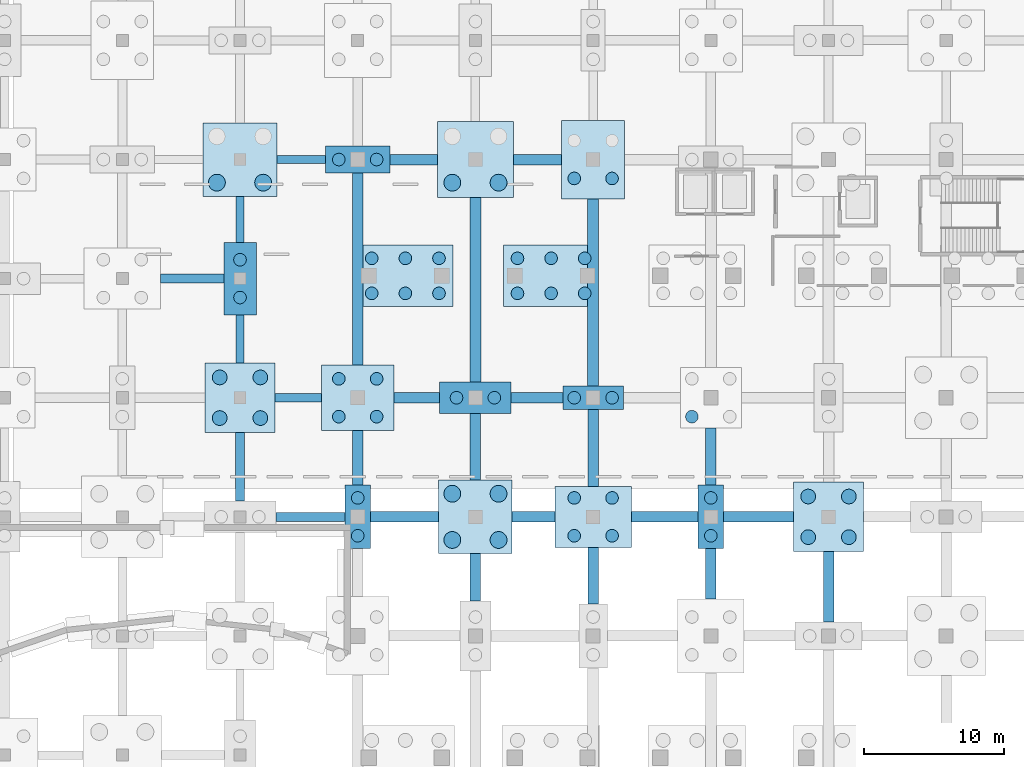
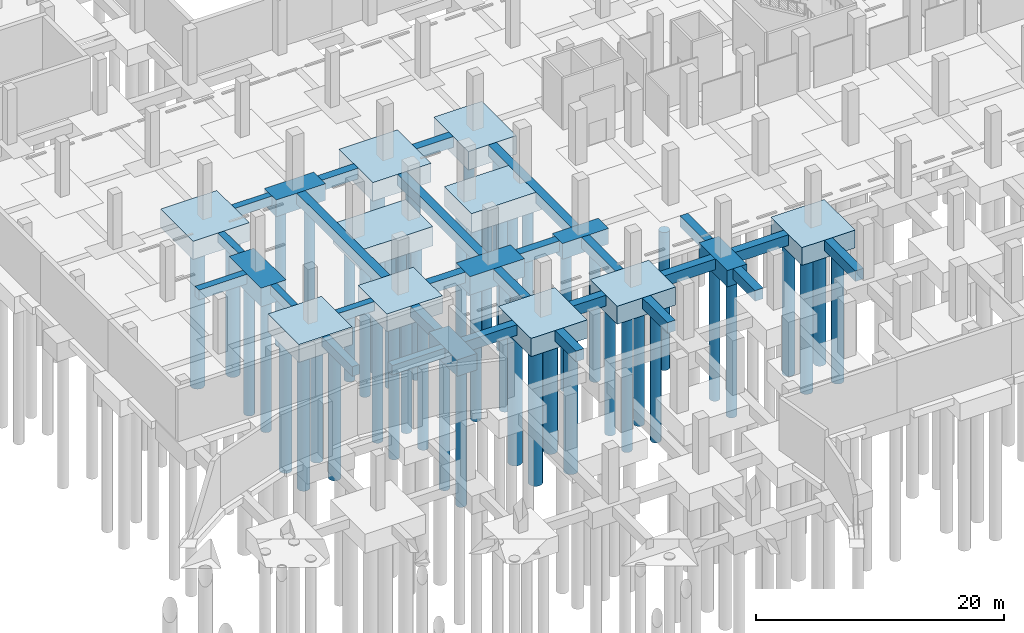
# One storey, part 8 of 34: 51 piles, 42 footings.
"""IFC4 building model written with IfcOpenShell, lengths in metres."""

from ifc_helpers import new_model, si_unit, direction, frame, origin, origin_2d, place, context, subcontext, project, spatial, rectangle, circle, extrude, material, material_profile, profile_set, type_object, element, save


model = new_model("IFC4")

# Units and contexts
model_context = context("Model", 3, precision=1e-05, world=origin(), true_north=direction((0.0, 1.0)))
body_context = subcontext(model_context, "Body", "Model", "MODEL_VIEW")
ifc_project = project(units=[si_unit("LENGTHUNIT", "METRE"), si_unit("AREAUNIT", "SQUARE_METRE"), si_unit("VOLUMEUNIT", "CUBIC_METRE"), si_unit("PLANEANGLEUNIT", "RADIAN"), si_unit("MASSUNIT", "GRAM", prefix="KILO")], contexts=[model_context])

# Site, building, storey
site_placement = place(None, origin())
site = spatial("IfcSite", under=ifc_project, at=site_placement, CompositionType="ELEMENT")
building_placement = place(site_placement, origin())
building = spatial("IfcBuilding", under=site, at=building_placement, Name="Solvento Point Concert Hall", CompositionType="ELEMENT")
storey_placement = place(building_placement, frame((0.0, 0.0, -5.39990234375)))
storey = spatial("IfcBuildingStorey", under=building, at=storey_placement, Name="B01", CompositionType="ELEMENT", Elevation=-5.39990234375)

# Piles
ifc_material_1 = material(Name="Concrete C40/50", Category="concrete")
ifc_material_profile_1 = material_profile(ifc_material_1, circle(Radius=0.52490234375, at=origin_2d()), Name="BP-1050")
ifc_profile_set_1 = profile_set([ifc_material_profile_1], Name="Concrete C40/50")
pile_type_1 = type_object("IfcPileType", Name="BoredPile_1050", PredefinedType="BORED", material=ifc_profile_set_1)
for number, where, z_axis, x_axis, name in (
    (1, (64.550048828125, 75.050048828125, -1.66015625), (0.0, 0.0, -1.0), (1.0, 0.0, 0.0), "Bored pile BoredPile_1050 #235"),
    (2, (67.449951171875, 75.050048828125, -1.66015625), (0.0, 0.0, -1.0), (1.0, 0.0, 0.0), "Bored pile BoredPile_1050 #236"),
    (3, (64.550048828125, 77.949951171875, -1.66015625), (0.0, 0.0, -1.0), (1.0, 0.0, 0.0), "Bored pile BoredPile_1050 #237"),
    (4, (67.449951171875, 77.949951171875, -1.66015625), (0.0, 0.0, -1.0), (1.0, 0.0, 0.0), "Bored pile BoredPile_1050 #238"),
    (5, (106.550048828125, 66.550048828125, -1.66015625), (0.0, 0.0, -1.0), (1.0, 0.0, 0.0), "Bored pile BoredPile_1050 #379"),
    (6, (109.449951171875, 66.550048828125, -1.66015625), (0.0, 0.0, -1.0), (1.0, 0.0, 0.0), "Bored pile BoredPile_1050 #380"),
    (7, (106.550048828125, 69.449951171875, -1.66015625), (0.0, 0.0, -1.0), (1.0, 0.0, 0.0), "Bored pile BoredPile_1050 #381"),
    (8, (109.449951171875, 69.449951171875, -1.66015625), (0.0, 0.0, -1.0), (1.0, 0.0, 0.0), "Bored pile BoredPile_1050 #382"),
):
    element("IfcPile", number, at=place(storey_placement, frame(where, z_axis=z_axis, x_axis=x_axis)), inside=storey, type_object=pile_type_1, Name=name, PredefinedType="BORED", context=body_context, shape_type="SweptSolid", body=[
        extrude(circle(Radius=0.52490234375, at=origin_2d()), origin(), (0.0, 0.0, 1.0), 13.43994140625),
    ])
ifc_material_2 = material(Name="Concrete C40/50", Category="concrete")
ifc_material_profile_2 = material_profile(ifc_material_2, circle(Radius=0.60009765625, at=origin_2d()), Name="BP-1200")
ifc_profile_set_2 = profile_set([ifc_material_profile_2], Name="Concrete C40/50")
pile_type_2 = type_object("IfcPileType", Name="BoredPile_1200", PredefinedType="BORED", material=ifc_profile_set_2)
for number, where, z_axis, x_axis, name in (
    (9, (64.35009765625, 91.85009765625, -1.7001953125), (0.0, 0.0, -1.0), (1.0, 0.0, 0.0), "Bored pile BoredPile_1200 #241"),
    (10, (67.64990234375, 91.85009765625, -1.7001953125), (0.0, 0.0, -1.0), (1.0, 0.0, 0.0), "Bored pile BoredPile_1200 #242"),
    (11, (81.14990234375, 66.35009765625, -1.7001953125), (0.0, 0.0, -1.0), (1.0, 0.0, 0.0), "Bored pile BoredPile_1200 #313"),
    (12, (84.449951171875, 66.35009765625, -1.7001953125), (0.0, 0.0, -1.0), (1.0, 0.0, 0.0), "Bored pile BoredPile_1200 #314"),
    (13, (81.14990234375, 69.64990234375, -1.7001953125), (0.0, 0.0, -1.0), (1.0, 0.0, 0.0), "Bored pile BoredPile_1200 #315"),
    (14, (84.449951171875, 69.64990234375, -1.7001953125), (0.0, 0.0, -1.0), (1.0, 0.0, 0.0), "Bored pile BoredPile_1200 #316"),
):
    element("IfcPile", number, at=place(storey_placement, frame(where, z_axis=z_axis, x_axis=x_axis)), inside=storey, type_object=pile_type_2, Name=name, PredefinedType="BORED", context=body_context, shape_type="SweptSolid", body=[
        extrude(circle(Radius=0.60009765625, at=origin_2d()), origin(), (0.0, 0.0, 1.0), 13.39990234375),
    ])
for number, where, z_axis, x_axis, name in (
    (15, (81.14990234375, 91.85009765625, -1.75), (0.0, 0.0, -1.0), (1.0, 0.0, 0.0), "Bored pile BoredPile_1200 #319"),
    (16, (84.449951171875, 91.85009765625, -1.75), (0.0, 0.0, -1.0), (1.0, 0.0, 0.0), "Bored pile BoredPile_1200 #320"),
):
    element("IfcPile", number, at=place(storey_placement, frame(where, z_axis=z_axis, x_axis=x_axis)), inside=storey, type_object=pile_type_2, Name=name, PredefinedType="BORED", context=body_context, shape_type="SweptSolid", body=[
        extrude(circle(Radius=0.60009765625, at=origin_2d()), origin(), (0.0, 0.0, 1.0), 13.35009765625),
    ])
ifc_material_3 = material(Name="Concrete C40/50", Category="concrete")
ifc_material_profile_3 = material_profile(ifc_material_3, circle(Radius=0.449951171875, at=origin_2d()), Name="BP-900")
ifc_profile_set_3 = profile_set([ifc_material_profile_3], Name="Concrete C40/50")
pile_type_3 = type_object("IfcPileType", Name="BoredPile_900", PredefinedType="BORED", material=ifc_profile_set_3)
for number, where, z_axis, x_axis, name in (
    (17, (66.0, 83.64990234375, -1.739990234375), (0.0, 0.0, -1.0), (1.0, 0.0, 0.0), "Bored pile BoredPile_900 #239"),
    (18, (66.0, 86.35009765625, -1.739990234375), (0.0, 0.0, -1.0), (1.0, 0.0, 0.0), "Bored pile BoredPile_900 #240"),
):
    element("IfcPile", number, at=place(storey_placement, frame(where, z_axis=z_axis, x_axis=x_axis)), inside=storey, type_object=pile_type_3, Name=name, PredefinedType="BORED", context=body_context, shape_type="SweptSolid", body=[
        extrude(circle(Radius=0.449951171875, at=origin_2d()), origin(), (0.0, 0.0, 1.0), 13.360107421875),
    ])
for number, where, z_axis, x_axis, name in (
    (19, (74.39990234375, 66.64990234375, -1.52001953125), (0.0, 0.0, -1.0), (1.0, 0.0, 0.0), "Bored pile BoredPile_900 #275"),
    (20, (74.39990234375, 69.35009765625, -1.52001953125), (0.0, 0.0, -1.0), (1.0, 0.0, 0.0), "Bored pile BoredPile_900 #276"),
):
    element("IfcPile", number, at=place(storey_placement, frame(where, z_axis=z_axis, x_axis=x_axis)), inside=storey, type_object=pile_type_3, Name=name, PredefinedType="BORED", context=body_context, shape_type="SweptSolid", body=[
        extrude(circle(Radius=0.449951171875, at=origin_2d()), origin(), (0.0, 0.0, 1.0), 13.580078125),
    ])
for number, where, z_axis, x_axis, name in (
    (21, (73.050048828125, 75.14990234375, -1.64013671875), (0.0, 0.0, -1.0), (1.0, 0.0, 0.0), "Bored pile BoredPile_900 #277"),
    (22, (75.75, 75.14990234375, -1.64013671875), (0.0, 0.0, -1.0), (1.0, 0.0, 0.0), "Bored pile BoredPile_900 #278"),
    (23, (73.050048828125, 77.85009765625, -1.64013671875), (0.0, 0.0, -1.0), (1.0, 0.0, 0.0), "Bored pile BoredPile_900 #279"),
    (24, (75.75, 77.85009765625, -1.64013671875), (0.0, 0.0, -1.0), (1.0, 0.0, 0.0), "Bored pile BoredPile_900 #280"),
):
    element("IfcPile", number, at=place(storey_placement, frame(where, z_axis=z_axis, x_axis=x_axis)), inside=storey, type_object=pile_type_3, Name=name, PredefinedType="BORED", context=body_context, shape_type="SweptSolid", body=[
        extrude(circle(Radius=0.449951171875, at=origin_2d()), origin(), (0.0, 0.0, 1.0), 13.4599609375),
    ])
for number, where, z_axis, x_axis, name in (
    (25, (73.050048828125, 93.5, -1.550048828125), (0.0, 0.0, -1.0), (1.0, 0.0, 0.0), "Bored pile BoredPile_900 #281"),
    (26, (75.75, 93.5, -1.550048828125), (0.0, 0.0, -1.0), (1.0, 0.0, 0.0), "Bored pile BoredPile_900 #282"),
):
    element("IfcPile", number, at=place(storey_placement, frame(where, z_axis=z_axis, x_axis=x_axis)), inside=storey, type_object=pile_type_3, Name=name, PredefinedType="BORED", context=body_context, shape_type="SweptSolid", body=[
        extrude(circle(Radius=0.449951171875, at=origin_2d()), origin(), (0.0, 0.0, 1.0), 13.550048828125),
    ])
for number, where, z_axis, x_axis, name in (
    (27, (81.449951171875, 76.5, -1.7001953125), (0.0, 0.0, -1.0), (1.0, 0.0, 0.0), "Bored pile BoredPile_900 #317"),
    (28, (84.14990234375, 76.5, -1.7001953125), (0.0, 0.0, -1.0), (1.0, 0.0, 0.0), "Bored pile BoredPile_900 #318"),
):
    element("IfcPile", number, at=place(storey_placement, frame(where, z_axis=z_axis, x_axis=x_axis)), inside=storey, type_object=pile_type_3, Name=name, PredefinedType="BORED", context=body_context, shape_type="SweptSolid", body=[
        extrude(circle(Radius=0.449951171875, at=origin_2d()), origin(), (0.0, 0.0, 1.0), 13.39990234375),
    ])
for number, where, z_axis, x_axis, name in (
    (29, (89.85009765625, 66.64990234375, -1.68017578125), (0.0, 0.0, -1.0), (1.0, 0.0, 0.0), "Bored pile BoredPile_900 #337"),
    (30, (92.550048828125, 66.64990234375, -1.68017578125), (0.0, 0.0, -1.0), (1.0, 0.0, 0.0), "Bored pile BoredPile_900 #338"),
    (31, (89.85009765625, 69.35009765625, -1.68017578125), (0.0, 0.0, -1.0), (1.0, 0.0, 0.0), "Bored pile BoredPile_900 #339"),
    (32, (92.550048828125, 69.35009765625, -1.68017578125), (0.0, 0.0, -1.0), (1.0, 0.0, 0.0), "Bored pile BoredPile_900 #340"),
):
    element("IfcPile", number, at=place(storey_placement, frame(where, z_axis=z_axis, x_axis=x_axis)), inside=storey, type_object=pile_type_3, Name=name, PredefinedType="BORED", context=body_context, shape_type="SweptSolid", body=[
        extrude(circle(Radius=0.449951171875, at=origin_2d()), origin(), (0.0, 0.0, 1.0), 13.419921875),
    ])
for number, where, z_axis, x_axis, name in (
    (33, (89.85009765625, 76.5, -1.4501953125), (0.0, 0.0, -1.0), (1.0, 0.0, 0.0), "Bored pile BoredPile_900 #341"),
    (34, (92.550048828125, 76.5, -1.4501953125), (0.0, 0.0, -1.0), (1.0, 0.0, 0.0), "Bored pile BoredPile_900 #342"),
):
    element("IfcPile", number, at=place(storey_placement, frame(where, z_axis=z_axis, x_axis=x_axis)), inside=storey, type_object=pile_type_3, Name=name, PredefinedType="BORED", context=body_context, shape_type="SweptSolid", body=[
        extrude(circle(Radius=0.449951171875, at=origin_2d()), origin(), (0.0, 0.0, 1.0), 13.64990234375),
    ])
for number, where, z_axis, x_axis, name in (
    (35, (89.85009765625, 92.14990234375, -1.72021484375), (0.0, 0.0, -1.0), (1.0, 0.0, 0.0), "Bored pile BoredPile_900 #343"),
    (36, (92.550048828125, 92.14990234375, -1.72021484375), (0.0, 0.0, -1.0), (1.0, 0.0, 0.0), "Bored pile BoredPile_900 #344"),
):
    element("IfcPile", number, at=place(storey_placement, frame(where, z_axis=z_axis, x_axis=x_axis)), inside=storey, type_object=pile_type_3, Name=name, PredefinedType="BORED", context=body_context, shape_type="SweptSolid", body=[
        extrude(circle(Radius=0.449951171875, at=origin_2d()), origin(), (0.0, 0.0, 1.0), 13.3798828125),
    ])
for number, where, z_axis, x_axis, name in (
    (37, (99.60009765625, 66.64990234375, -1.52001953125), (0.0, 0.0, -1.0), (1.0, 0.0, 0.0), "Bored pile BoredPile_900 #359"),
    (38, (99.60009765625, 69.35009765625, -1.52001953125), (0.0, 0.0, -1.0), (1.0, 0.0, 0.0), "Bored pile BoredPile_900 #360"),
):
    element("IfcPile", number, at=place(storey_placement, frame(where, z_axis=z_axis, x_axis=x_axis)), inside=storey, type_object=pile_type_3, Name=name, PredefinedType="BORED", context=body_context, shape_type="SweptSolid", body=[
        extrude(circle(Radius=0.449951171875, at=origin_2d()), origin(), (0.0, 0.0, 1.0), 13.580078125),
    ])
pile_placement = place(storey_placement, frame((98.25, 75.14990234375, -1.5), z_axis=(0.0, 0.0, -1.0), x_axis=(1.0, 0.0, 0.0)))
element("IfcPile", 39, at=pile_placement, inside=storey, type_object=pile_type_3, Name="Bored pile BoredPile_900 #361", PredefinedType="BORED", context=body_context, shape_type="SweptSolid", body=[
    extrude(circle(Radius=0.449951171875, at=origin_2d()), origin(), (0.0, 0.0, 1.0), 13.60009765625),
])
for number, where, z_axis, x_axis, name in (
    (40, (75.39990234375, 83.949951171875, -1.800048828125), (0.0, 0.0, -1.0), (1.0, 0.0, 0.0), "Bored pile BoredPile_900 #821"),
    (41, (77.800048828125, 83.949951171875, -1.800048828125), (0.0, 0.0, -1.0), (1.0, 0.0, 0.0), "Bored pile BoredPile_900 #822"),
    (42, (80.199951171875, 83.949951171875, -1.800048828125), (0.0, 0.0, -1.0), (1.0, 0.0, 0.0), "Bored pile BoredPile_900 #823"),
    (43, (75.39990234375, 86.449951171875, -1.800048828125), (0.0, 0.0, -1.0), (1.0, 0.0, 0.0), "Bored pile BoredPile_900 #824"),
    (44, (77.800048828125, 86.449951171875, -1.800048828125), (0.0, 0.0, -1.0), (1.0, 0.0, 0.0), "Bored pile BoredPile_900 #825"),
    (45, (80.199951171875, 86.449951171875, -1.800048828125), (0.0, 0.0, -1.0), (1.0, 0.0, 0.0), "Bored pile BoredPile_900 #826"),
    (46, (85.800048828125, 83.949951171875, -1.800048828125), (0.0, 0.0, -1.0), (1.0, 0.0, 0.0), "Bored pile BoredPile_900 #833"),
    (47, (88.199951171875, 83.949951171875, -1.800048828125), (0.0, 0.0, -1.0), (1.0, 0.0, 0.0), "Bored pile BoredPile_900 #834"),
    (48, (90.60009765625, 83.949951171875, -1.800048828125), (0.0, 0.0, -1.0), (1.0, 0.0, 0.0), "Bored pile BoredPile_900 #835"),
    (49, (85.800048828125, 86.449951171875, -1.800048828125), (0.0, 0.0, -1.0), (1.0, 0.0, 0.0), "Bored pile BoredPile_900 #836"),
    (50, (88.199951171875, 86.449951171875, -1.800048828125), (0.0, 0.0, -1.0), (1.0, 0.0, 0.0), "Bored pile BoredPile_900 #837"),
    (51, (90.60009765625, 86.449951171875, -1.800048828125), (0.0, 0.0, -1.0), (1.0, 0.0, 0.0), "Bored pile BoredPile_900 #838"),
):
    element("IfcPile", number, at=place(storey_placement, frame(where, z_axis=z_axis, x_axis=x_axis)), inside=storey, type_object=pile_type_3, Name=name, PredefinedType="BORED", context=body_context, shape_type="SweptSolid", body=[
        extrude(circle(Radius=0.449951171875, at=origin_2d()), origin(), (0.0, 0.0, 1.0), 13.300048828125),
    ])

# Footings
ifc_material_4 = material(Name="Concrete C40/50", Category="concrete")
footing_type_1 = type_object("IfcFootingType", Name="PileCap_2A", PredefinedType="PILE_CAP", material=ifc_material_4)
footing_1_placement = place(storey_placement, frame((91.199951171875, 76.5, -1.55029296875), z_axis=(0.0, 0.0, 1.0), x_axis=(1.0, 0.0, 0.0)))
element("IfcFooting", 52, at=footing_1_placement, inside=storey, type_object=footing_type_1, Name="Pile cap PC-2A at G-12-K", PredefinedType="PILE_CAP", context=body_context, shape_type="SweptSolid", body=[
    extrude(rectangle(XDim=4.300048828125, YDim=1.64990234375, at=origin_2d()), origin(), (0.0, 0.0, 1.0), 1.550048828125),
])
ifc_material_5 = material(Name="Concrete C40/50", Category="concrete")
footing_type_2 = type_object("IfcFootingType", Name="PileCap_2D", PredefinedType="PILE_CAP", material=ifc_material_5)
for number, where, z_axis, x_axis, name in (
    (53, (74.39990234375, 68.0, -1.6201171875), (0.0, 0.0, 1.0), (1.0, 0.0, 0.0), "Pile cap PC-2D at G-10-J"),
    (54, (99.60009765625, 68.0, -1.6201171875), (0.0, 0.0, 1.0), (1.0, 0.0, 0.0), "Pile cap PC-2D at G-13-J"),
):
    element("IfcFooting", number, at=place(storey_placement, frame(where, z_axis=z_axis, x_axis=x_axis)), inside=storey, type_object=footing_type_2, Name=name, PredefinedType="PILE_CAP", context=body_context, shape_type="SweptSolid", body=[
        extrude(rectangle(XDim=1.840087890625, YDim=4.5400390625, at=origin_2d()), origin(), (0.0, 0.0, 1.0), 1.6201171875),
    ])
ifc_material_6 = material(Name="Concrete C40/50", Category="concrete")
footing_type_3 = type_object("IfcFootingType", Name="PileCap_2E", PredefinedType="PILE_CAP", material=ifc_material_6)
footing_2_placement = place(storey_placement, frame((74.39990234375, 93.5, -1.650146484375), z_axis=(0.0, 0.0, 1.0), x_axis=(1.0, 0.0, 0.0)))
element("IfcFooting", 55, at=footing_2_placement, inside=storey, type_object=footing_type_3, Name="Pile cap PC-2E at G-10-M", PredefinedType="PILE_CAP", context=body_context, shape_type="SweptSolid", body=[
    extrude(rectangle(XDim=4.6201171875, YDim=1.89990234375, at=origin_2d()), origin(), (0.0, 0.0, 1.0), 1.64990234375),
])
ifc_material_7 = material(Name="Concrete C40/50", Category="concrete")
footing_type_4 = type_object("IfcFootingType", Name="PileCap_2L", PredefinedType="PILE_CAP", material=ifc_material_7)
footing_3_placement = place(storey_placement, frame((82.800048828125, 76.5, -1.80029296875), z_axis=(0.0, 0.0, 1.0), x_axis=(1.0, 0.0, 0.0)))
element("IfcFooting", 56, at=footing_3_placement, inside=storey, type_object=footing_type_4, Name="Pile cap PC-2L at G-11-K", PredefinedType="PILE_CAP", context=body_context, shape_type="SweptSolid", body=[
    extrude(rectangle(XDim=5.10009765625, YDim=2.260009765625, at=origin_2d()), origin(), (0.0, 0.0, 1.0), 1.800048828125),
])
ifc_material_8 = material(Name="Concrete C40/50", Category="concrete")
footing_type_5 = type_object("IfcFootingType", Name="PileCap_2M", PredefinedType="PILE_CAP", material=ifc_material_8)
footing_4_placement = place(storey_placement, frame((66.0, 85.0, -1.84033203125), z_axis=(0.0, 0.0, 1.0), x_axis=(1.0, 0.0, 0.0)))
element("IfcFooting", 57, at=footing_4_placement, inside=storey, type_object=footing_type_5, Name="Pile cap PC-2M at G-09-L", PredefinedType="PILE_CAP", context=body_context, shape_type="SweptSolid", body=[
    extrude(rectangle(XDim=2.320068359375, YDim=5.179931640625, at=origin_2d()), origin(), (0.0, 0.0, 1.0), 1.840087890625),
])
ifc_material_9 = material(Name="Concrete C40/50", Category="concrete")
footing_type_6 = type_object("IfcFootingType", Name="PileCap_4D", PredefinedType="PILE_CAP", material=ifc_material_9)
for number, where, z_axis, x_axis, name in (
    (58, (66.0, 76.5, -1.76025390625), (0.0, 0.0, 1.0), (1.0, 0.0, 0.0), "Pile cap PC-4D at G-09-K"),
    (59, (108.0, 68.0, -1.76025390625), (0.0, 0.0, 1.0), (1.0, 0.0, 0.0), "Pile cap PC-4D at G-14-J"),
):
    element("IfcFooting", number, at=place(storey_placement, frame(where, z_axis=z_axis, x_axis=x_axis)), inside=storey, type_object=footing_type_6, Name=name, PredefinedType="PILE_CAP", context=body_context, shape_type="SweptSolid", body=[
        extrude(rectangle(XDim=4.97998046875, YDim=4.97998046875, at=origin_2d()), origin(), (0.0, 0.0, 1.0), 1.760009765625),
    ])
ifc_material_10 = material(Name="Concrete C40/50", Category="concrete")
footing_type_7 = type_object("IfcFootingType", Name="PileCap_4E", PredefinedType="PILE_CAP", material=ifc_material_10)
for number, where, z_axis, x_axis, name in (
    (60, (66.0, 93.5, -1.80029296875), (0.0, 0.0, 1.0), (1.0, 0.0, 0.0), "Pile cap PC-4E at G-09-M"),
    (61, (82.800048828125, 68.0, -1.80029296875), (0.0, 0.0, 1.0), (1.0, 0.0, 0.0), "Pile cap PC-4E at G-11-J"),
):
    element("IfcFooting", number, at=place(storey_placement, frame(where, z_axis=z_axis, x_axis=x_axis)), inside=storey, type_object=footing_type_7, Name=name, PredefinedType="PILE_CAP", context=body_context, shape_type="SweptSolid", body=[
        extrude(rectangle(XDim=5.25, YDim=5.25, at=origin_2d()), origin(), (0.0, 0.0, 1.0), 1.800048828125),
    ])
ifc_material_11 = material(Name="Concrete C40/50", Category="concrete")
footing_type_8 = type_object("IfcFootingType", Name="PileCap_4F", PredefinedType="PILE_CAP", material=ifc_material_11)
footing_5_placement = place(storey_placement, frame((82.800048828125, 93.5, -1.85009765625), z_axis=(0.0, 0.0, 1.0), x_axis=(1.0, 0.0, 0.0)))
element("IfcFooting", 62, at=footing_5_placement, inside=storey, type_object=footing_type_8, Name="Pile cap PC-4F at G-11-M", PredefinedType="PILE_CAP", context=body_context, shape_type="SweptSolid", body=[
    extrude(rectangle(XDim=5.43994140625, YDim=5.43994140625, at=origin_2d()), origin(), (0.0, 0.0, 1.0), 1.85009765625),
])
ifc_material_12 = material(Name="Concrete C40/50", Category="concrete")
footing_type_9 = type_object("IfcFootingType", Name="PileCap_4J", PredefinedType="PILE_CAP", material=ifc_material_12)
footing_6_placement = place(storey_placement, frame((91.199951171875, 68.0, -1.7802734375), z_axis=(0.0, 0.0, 1.0), x_axis=(1.0, 0.0, 0.0)))
element("IfcFooting", 63, at=footing_6_placement, inside=storey, type_object=footing_type_9, Name="Pile cap PC-4J at G-12-J", PredefinedType="PILE_CAP", context=body_context, shape_type="SweptSolid", body=[
    extrude(rectangle(XDim=5.4599609375, YDim=4.360107421875, at=origin_2d()), origin(), (0.0, 0.0, 1.0), 1.780029296875),
])
ifc_material_13 = material(Name="Concrete C40/50", Category="concrete")
footing_type_10 = type_object("IfcFootingType", Name="PileCap_4K", PredefinedType="PILE_CAP", material=ifc_material_13)
footing_7_placement = place(storey_placement, frame((91.199951171875, 93.5, -1.8203125), z_axis=(0.0, 0.0, 1.0), x_axis=(1.0, 0.0, 0.0)))
element("IfcFooting", 64, at=footing_7_placement, inside=storey, type_object=footing_type_10, Name="Pile cap PC-4K at G-12-M", PredefinedType="PILE_CAP", context=body_context, shape_type="SweptSolid", body=[
    extrude(rectangle(XDim=4.47998046875, YDim=5.60009765625, at=origin_2d()), origin(), (0.0, 0.0, 1.0), 1.820068359375),
])
ifc_material_14 = material(Name="Concrete C40/50", Category="concrete")
footing_type_11 = type_object("IfcFootingType", Name="PileCap_4L", PredefinedType="PILE_CAP", material=ifc_material_14)
footing_8_placement = place(storey_placement, frame((74.39990234375, 76.5, -1.740234375), z_axis=(0.0, 0.0, 1.0), x_axis=(1.0, 0.0, 0.0)))
element("IfcFooting", 65, at=footing_8_placement, inside=storey, type_object=footing_type_11, Name="Pile cap PC-4L at G-10-K", PredefinedType="PILE_CAP", context=body_context, shape_type="SweptSolid", body=[
    extrude(rectangle(XDim=5.159912109375, YDim=4.659912109375, at=origin_2d()), origin(), (0.0, 0.0, 1.0), 1.739990234375),
])
ifc_material_15 = material(Name="Concrete C40/50", Category="concrete")
footing_type_12 = type_object("IfcFootingType", Name="PileCap_6A", PredefinedType="PILE_CAP", material=ifc_material_15)
for number, where, z_axis, x_axis, name in (
    (66, (77.800048828125, 85.199951171875, -1.900146484375), (0.0, 0.0, 1.0), (1.0, 0.0, 0.0), "Pile cap PC-6A at D-DN01"),
    (67, (88.199951171875, 85.199951171875, -1.900146484375), (0.0, 0.0, 1.0), (1.0, 0.0, 0.0), "Pile cap PC-6A at D-DN03"),
):
    element("IfcFooting", number, at=place(storey_placement, frame(where, z_axis=z_axis, x_axis=x_axis)), inside=storey, type_object=footing_type_12, Name=name, PredefinedType="PILE_CAP", context=body_context, shape_type="SweptSolid", body=[
        extrude(rectangle(XDim=6.800048828125, YDim=4.39990234375, at=origin_2d()), origin(), (0.0, 0.0, 1.0), 1.89990234375),
    ])
ifc_material_16 = material(Name="Concrete C40/50", Category="concrete")
footing_type_13 = type_object("IfcFootingType", Name="TieBeam_600x900", PredefinedType="FOOTING_BEAM", material=ifc_material_16)
footing_9_placement = place(storey_placement, frame((70.155029296875, 76.5, -0.900146484375), z_axis=(0.0, 0.0, 1.0), x_axis=(1.0, 0.0, 0.0)))
element("IfcFooting", 68, at=footing_9_placement, inside=storey, type_object=footing_type_13, Name="Seismic tie beam GB-01", PredefinedType="FOOTING_BEAM", context=body_context, shape_type="SweptSolid", body=[
    extrude(rectangle(XDim=3.330078125, YDim=0.60009765625, at=origin_2d()), origin(), (0.0, 0.0, 1.0), 0.89990234375),
])
footing_10_placement = place(storey_placement, frame((70.357421875, 93.5, -0.900146484375), z_axis=(0.0, 0.0, 1.0), x_axis=(1.0, 0.0, 0.0)))
element("IfcFooting", 69, at=footing_10_placement, inside=storey, type_object=footing_type_13, Name="Seismic tie beam GB-01", PredefinedType="FOOTING_BEAM", context=body_context, shape_type="SweptSolid", body=[
    extrude(rectangle(XDim=3.465087890625, YDim=0.60009765625, at=origin_2d()), origin(), (0.0, 0.0, 1.0), 0.89990234375),
])
footing_11_placement = place(storey_placement, frame((66.0, 80.699951171875, -0.900146484375), z_axis=(0.0, 0.0, 1.0), x_axis=(0.0, 1.0, 0.0)))
element("IfcFooting", 70, at=footing_11_placement, inside=storey, type_object=footing_type_13, Name="Seismic tie beam GB-01", PredefinedType="FOOTING_BEAM", context=body_context, shape_type="SweptSolid", body=[
    extrude(rectangle(XDim=3.419921875, YDim=0.60009765625, at=origin_2d()), origin(), (0.0, 0.0, 1.0), 0.89990234375),
])
footing_12_placement = place(storey_placement, frame((66.0, 89.232421875, -0.900146484375), z_axis=(0.0, 0.0, 1.0), x_axis=(0.0, 1.0, 0.0)))
element("IfcFooting", 71, at=footing_12_placement, inside=storey, type_object=footing_type_13, Name="Seismic tie beam GB-01", PredefinedType="FOOTING_BEAM", context=body_context, shape_type="SweptSolid", body=[
    extrude(rectangle(XDim=3.284912109375, YDim=0.60009765625, at=origin_2d()), origin(), (0.0, 0.0, 1.0), 0.89990234375),
])
ifc_material_17 = material(Name="Concrete C40/50", Category="concrete")
footing_type_14 = type_object("IfcFootingType", Name="TieBeam_650x950", PredefinedType="FOOTING_BEAM", material=ifc_material_17)
footing_13_placement = place(storey_placement, frame((71.014892578125, 68.0, -0.9501953125), z_axis=(0.0, 0.0, 1.0), x_axis=(1.0, 0.0, 0.0)))
element("IfcFooting", 72, at=footing_13_placement, inside=storey, type_object=footing_type_14, Name="Seismic tie beam GB-03", PredefinedType="FOOTING_BEAM", context=body_context, shape_type="SweptSolid", body=[
    extrude(rectangle(XDim=4.929931640625, YDim=0.64990234375, at=origin_2d()), origin(), (0.0, 0.0, 1.0), 0.949951171875),
])
footing_14_placement = place(storey_placement, frame((62.5849609375, 85.0, -0.9501953125), z_axis=(0.0, 0.0, 1.0), x_axis=(1.0, 0.0, 0.0)))
element("IfcFooting", 73, at=footing_14_placement, inside=storey, type_object=footing_type_14, Name="Seismic tie beam GB-03", PredefinedType="FOOTING_BEAM", context=body_context, shape_type="SweptSolid", body=[
    extrude(rectangle(XDim=4.510009765625, YDim=0.64990234375, at=origin_2d()), origin(), (0.0, 0.0, 1.0), 0.949951171875),
])
footing_15_placement = place(storey_placement, frame((66.0, 71.570068359375, -0.9501953125), z_axis=(0.0, 0.0, 1.0), x_axis=(0.0, 1.0, 0.0)))
element("IfcFooting", 74, at=footing_15_placement, inside=storey, type_object=footing_type_14, Name="Seismic tie beam GB-03", PredefinedType="FOOTING_BEAM", context=body_context, shape_type="SweptSolid", body=[
    extrude(rectangle(XDim=4.8798828125, YDim=0.64990234375, at=origin_2d()), origin(), (0.0, 0.0, 1.0), 0.949951171875),
])
ifc_material_18 = material(Name="Concrete C40/50", Category="concrete")
footing_type_15 = type_object("IfcFootingType", Name="TieBeam_750x1050", PredefinedType="FOOTING_BEAM", material=ifc_material_18)
footing_16_placement = place(storey_placement, frame((77.74755859375, 68.0, -1.05029296875), z_axis=(0.0, 0.0, 1.0), x_axis=(1.0, 0.0, 0.0)))
element("IfcFooting", 75, at=footing_16_placement, inside=storey, type_object=footing_type_15, Name="Seismic tie beam GB-07", PredefinedType="FOOTING_BEAM", context=body_context, shape_type="SweptSolid", body=[
    extrude(rectangle(XDim=4.85498046875, YDim=0.75, at=origin_2d()), origin(), (0.0, 0.0, 1.0), 1.050048828125),
])
footing_17_placement = place(storey_placement, frame((86.947509765625, 68.0, -1.05029296875), z_axis=(0.0, 0.0, 1.0), x_axis=(1.0, 0.0, 0.0)))
element("IfcFooting", 76, at=footing_17_placement, inside=storey, type_object=footing_type_15, Name="Seismic tie beam GB-07", PredefinedType="FOOTING_BEAM", context=body_context, shape_type="SweptSolid", body=[
    extrude(rectangle(XDim=3.044921875, YDim=0.75, at=origin_2d()), origin(), (0.0, 0.0, 1.0), 1.050048828125),
])
footing_18_placement = place(storey_placement, frame((96.304931640625, 68.0, -1.05029296875), z_axis=(0.0, 0.0, 1.0), x_axis=(1.0, 0.0, 0.0)))
element("IfcFooting", 77, at=footing_18_placement, inside=storey, type_object=footing_type_15, Name="Seismic tie beam GB-07", PredefinedType="FOOTING_BEAM", context=body_context, shape_type="SweptSolid", body=[
    extrude(rectangle(XDim=4.75, YDim=0.75, at=origin_2d()), origin(), (0.0, 0.0, 1.0), 1.050048828125),
])
footing_19_placement = place(storey_placement, frame((103.014892578125, 68.0, -1.05029296875), z_axis=(0.0, 0.0, 1.0), x_axis=(1.0, 0.0, 0.0)))
element("IfcFooting", 78, at=footing_19_placement, inside=storey, type_object=footing_type_15, Name="Seismic tie beam GB-07", PredefinedType="FOOTING_BEAM", context=body_context, shape_type="SweptSolid", body=[
    extrude(rectangle(XDim=4.989990234375, YDim=0.75, at=origin_2d()), origin(), (0.0, 0.0, 1.0), 1.050048828125),
])
footing_20_placement = place(storey_placement, frame((78.614990234375, 76.5, -1.05029296875), z_axis=(0.0, 0.0, 1.0), x_axis=(1.0, 0.0, 0.0)))
element("IfcFooting", 79, at=footing_20_placement, inside=storey, type_object=footing_type_15, Name="Seismic tie beam GB-07", PredefinedType="FOOTING_BEAM", context=body_context, shape_type="SweptSolid", body=[
    extrude(rectangle(XDim=3.27001953125, YDim=0.75, at=origin_2d()), origin(), (0.0, 0.0, 1.0), 1.050048828125),
])
footing_21_placement = place(storey_placement, frame((87.199951171875, 76.5, -1.05029296875), z_axis=(0.0, 0.0, 1.0), x_axis=(1.0, 0.0, 0.0)))
element("IfcFooting", 80, at=footing_21_placement, inside=storey, type_object=footing_type_15, Name="Seismic tie beam GB-07", PredefinedType="FOOTING_BEAM", context=body_context, shape_type="SweptSolid", body=[
    extrude(rectangle(XDim=3.699951171875, YDim=0.75, at=origin_2d()), origin(), (0.0, 0.0, 1.0), 1.050048828125),
])
footing_22_placement = place(storey_placement, frame((78.39501953125, 93.5, -1.05029296875), z_axis=(0.0, 0.0, 1.0), x_axis=(1.0, 0.0, 0.0)))
element("IfcFooting", 81, at=footing_22_placement, inside=storey, type_object=footing_type_15, Name="Seismic tie beam GB-07", PredefinedType="FOOTING_BEAM", context=body_context, shape_type="SweptSolid", body=[
    extrude(rectangle(XDim=3.3701171875, YDim=0.75, at=origin_2d()), origin(), (0.0, 0.0, 1.0), 1.050048828125),
])
footing_23_placement = place(storey_placement, frame((87.239990234375, 93.5, -1.05029296875), z_axis=(0.0, 0.0, 1.0), x_axis=(1.0, 0.0, 0.0)))
element("IfcFooting", 82, at=footing_23_placement, inside=storey, type_object=footing_type_15, Name="Seismic tie beam GB-07", PredefinedType="FOOTING_BEAM", context=body_context, shape_type="SweptSolid", body=[
    extrude(rectangle(XDim=3.43994140625, YDim=0.75, at=origin_2d()), origin(), (0.0, 0.0, 1.0), 1.050048828125),
])
footing_24_placement = place(storey_placement, frame((74.39990234375, 72.219970703125, -1.05029296875), z_axis=(0.0, 0.0, 1.0), x_axis=(0.0, 1.0, 0.0)))
element("IfcFooting", 83, at=footing_24_placement, inside=storey, type_object=footing_type_15, Name="Seismic tie beam GB-07", PredefinedType="FOOTING_BEAM", context=body_context, shape_type="SweptSolid", body=[
    extrude(rectangle(XDim=3.89990234375, YDim=0.75, at=origin_2d()), origin(), (0.0, 0.0, 1.0), 1.050048828125),
])
footing_25_placement = place(storey_placement, frame((82.800048828125, 63.6923828125, -1.05029296875), z_axis=(0.0, 0.0, 1.0), x_axis=(0.0, 1.0, 0.0)))
element("IfcFooting", 84, at=footing_25_placement, inside=storey, type_object=footing_type_15, Name="Seismic tie beam GB-07", PredefinedType="FOOTING_BEAM", context=body_context, shape_type="SweptSolid", body=[
    extrude(rectangle(XDim=3.364990234375, YDim=0.75, at=origin_2d()), origin(), (0.0, 0.0, 1.0), 1.050048828125),
])
footing_26_placement = place(storey_placement, frame((82.800048828125, 72.99755859375, -1.05029296875), z_axis=(0.0, 0.0, 1.0), x_axis=(0.0, 1.0, 0.0)))
element("IfcFooting", 85, at=footing_26_placement, inside=storey, type_object=footing_type_15, Name="Seismic tie beam GB-07", PredefinedType="FOOTING_BEAM", context=body_context, shape_type="SweptSolid", body=[
    extrude(rectangle(XDim=4.7451171875, YDim=0.75, at=origin_2d()), origin(), (0.0, 0.0, 1.0), 1.050048828125),
])
footing_27_placement = place(storey_placement, frame((91.199951171875, 63.804931640625, -1.05029296875), z_axis=(0.0, 0.0, 1.0), x_axis=(0.0, 1.0, 0.0)))
element("IfcFooting", 86, at=footing_27_placement, inside=storey, type_object=footing_type_15, Name="Seismic tie beam GB-07", PredefinedType="FOOTING_BEAM", context=body_context, shape_type="SweptSolid", body=[
    extrude(rectangle(XDim=4.030029296875, YDim=0.75, at=origin_2d()), origin(), (0.0, 0.0, 1.0), 1.050048828125),
])
footing_28_placement = place(storey_placement, frame((91.199951171875, 72.927490234375, -1.05029296875), z_axis=(0.0, 0.0, 1.0), x_axis=(0.0, 1.0, 0.0)))
element("IfcFooting", 87, at=footing_28_placement, inside=storey, type_object=footing_type_15, Name="Seismic tie beam GB-07", PredefinedType="FOOTING_BEAM", context=body_context, shape_type="SweptSolid", body=[
    extrude(rectangle(XDim=5.4951171875, YDim=0.75, at=origin_2d()), origin(), (0.0, 0.0, 1.0), 1.050048828125),
])
footing_29_placement = place(storey_placement, frame((99.60009765625, 63.93994140625, -1.05029296875), z_axis=(0.0, 0.0, 1.0), x_axis=(0.0, 1.0, 0.0)))
element("IfcFooting", 88, at=footing_29_placement, inside=storey, type_object=footing_type_15, Name="Seismic tie beam GB-07", PredefinedType="FOOTING_BEAM", context=body_context, shape_type="SweptSolid", body=[
    extrude(rectangle(XDim=3.580078125, YDim=0.75, at=origin_2d()), origin(), (0.0, 0.0, 1.0), 1.050048828125),
])
footing_30_placement = place(storey_placement, frame((99.60009765625, 72.297607421875, -1.05029296875), z_axis=(0.0, 0.0, 1.0), x_axis=(0.0, 1.0, 0.0)))
element("IfcFooting", 89, at=footing_30_placement, inside=storey, type_object=footing_type_15, Name="Seismic tie beam GB-07", PredefinedType="FOOTING_BEAM", context=body_context, shape_type="SweptSolid", body=[
    extrude(rectangle(XDim=4.054931640625, YDim=0.75, at=origin_2d()), origin(), (0.0, 0.0, 1.0), 1.050048828125),
])
footing_31_placement = place(storey_placement, frame((108.0, 63.010009765625, -1.05029296875), z_axis=(0.0, 0.0, 1.0), x_axis=(0.0, 1.0, 0.0)))
element("IfcFooting", 90, at=footing_31_placement, inside=storey, type_object=footing_type_15, Name="Seismic tie beam GB-07", PredefinedType="FOOTING_BEAM", context=body_context, shape_type="SweptSolid", body=[
    extrude(rectangle(XDim=5.0, YDim=0.75, at=origin_2d()), origin(), (0.0, 0.0, 1.0), 1.050048828125),
])
ifc_material_19 = material(Name="Concrete C40/50", Category="concrete")
footing_type_16 = type_object("IfcFootingType", Name="TieBeam_780x1080", PredefinedType="FOOTING_BEAM", material=ifc_material_19)
footing_32_placement = place(storey_placement, frame((74.39990234375, 85.68994140625, -1.080078125), z_axis=(0.0, 0.0, 1.0), x_axis=(0.0, 1.0, 0.0)))
element("IfcFooting", 91, at=footing_32_placement, inside=storey, type_object=footing_type_16, Name="Seismic tie beam GB-08", PredefinedType="FOOTING_BEAM", context=body_context, shape_type="SweptSolid", body=[
    extrude(rectangle(XDim=13.719970703125, YDim=0.780029296875, at=origin_2d()), origin(), (0.0, 0.0, 1.0), 1.080078125),
])
footing_33_placement = place(storey_placement, frame((82.800048828125, 84.205078125, -1.080078125), z_axis=(0.0, 0.0, 1.0), x_axis=(0.0, 1.0, 0.0)))
element("IfcFooting", 92, at=footing_33_placement, inside=storey, type_object=footing_type_16, Name="Seismic tie beam GB-08", PredefinedType="FOOTING_BEAM", context=body_context, shape_type="SweptSolid", body=[
    extrude(rectangle(XDim=13.14990234375, YDim=0.780029296875, at=origin_2d()), origin(), (0.0, 0.0, 1.0), 1.080078125),
])
footing_34_placement = place(storey_placement, frame((91.199951171875, 84.012451171875, -1.080078125), z_axis=(0.0, 0.0, 1.0), x_axis=(0.0, 1.0, 0.0)))
element("IfcFooting", 93, at=footing_34_placement, inside=storey, type_object=footing_type_16, Name="Seismic tie beam GB-08", PredefinedType="FOOTING_BEAM", context=body_context, shape_type="SweptSolid", body=[
    extrude(rectangle(XDim=13.375, YDim=0.780029296875, at=origin_2d()), origin(), (0.0, 0.0, 1.0), 1.080078125),
])

save(model, "model.ifc")
